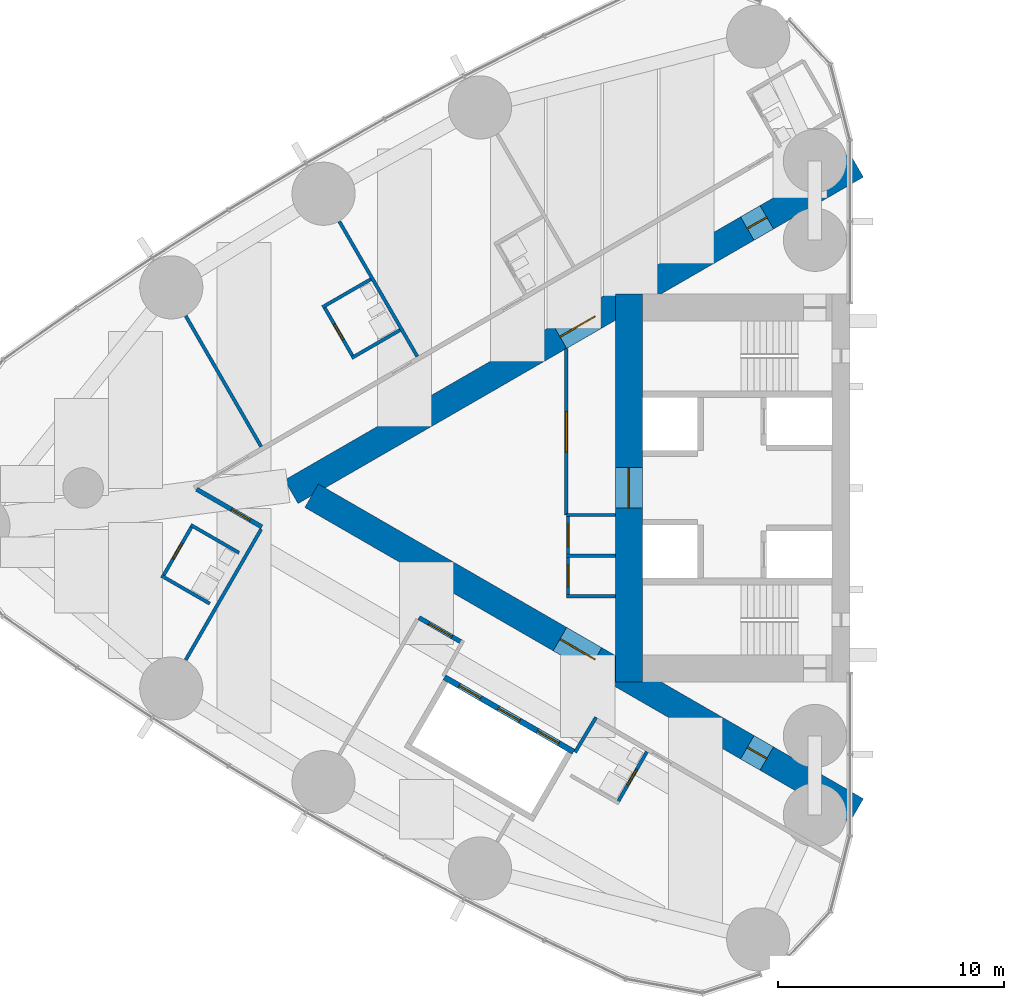
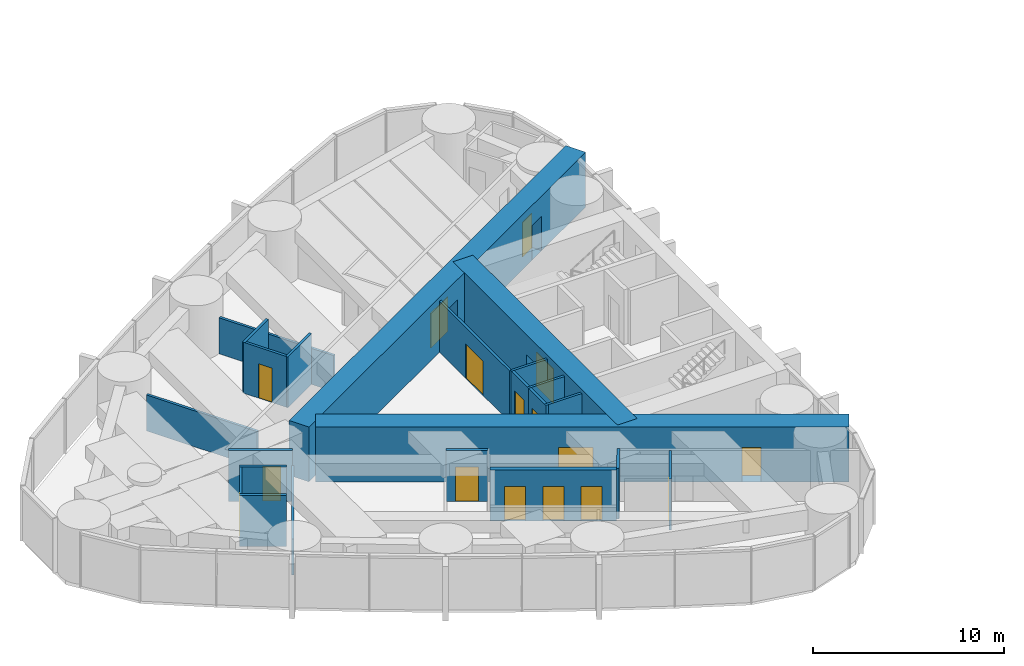
# One storey, part 12 of 19: 23 walls, 16 doors, 16 openings.
"""IFC4 building model written with IfcOpenShell, lengths in metres."""

from ifc_helpers import new_model, si_unit, direction, frame, frame_2d, origin, place, context, subcontext, project, spatial, rectangle, extrude, material, layer, layer_set, type_object, element, fill, save


model = new_model("IFC4")

# Units and contexts
model_context = context("Model", 3, precision=1e-05, world=origin(), true_north=direction((0.0, 1.0)))
body_context = subcontext(model_context, "Body", "Model", "MODEL_VIEW")
ifc_project = project(units=[si_unit("LENGTHUNIT", "METRE"), si_unit("AREAUNIT", "SQUARE_METRE"), si_unit("VOLUMEUNIT", "CUBIC_METRE"), si_unit("PLANEANGLEUNIT", "RADIAN"), si_unit("MASSUNIT", "GRAM", prefix="KILO")], contexts=[model_context])

# Site, building, storey
site_placement = place(None, origin())
site = spatial("IfcSite", under=ifc_project, at=site_placement, CompositionType="ELEMENT")
building_placement = place(site_placement, origin())
building = spatial("IfcBuilding", under=site, at=building_placement, Name="Lancet Gate Hotel", CompositionType="ELEMENT")
storey_placement = place(building_placement, frame((0.0, 0.0, 198.300048828125)))
storey = spatial("IfcBuildingStorey", under=building, at=storey_placement, Name="L53", CompositionType="ELEMENT", Elevation=198.300048828125)

# Wall
ifc_material_1 = material(Name="Moisture resistant board partition")
ifc_layer_1 = layer(ifc_material_1, 0.14990234375)
ifc_layer_set_1 = layer_set([ifc_layer_1], Name="Bathroom wall 150")
wall_type_1 = type_object("IfcWallType", Name="Bathroom wall 150", PredefinedType="PARTITIONING", material=ifc_layer_set_1)
wall_1_placement = place(storey_placement, frame((-48.743896484375, 9.251708984375, 0.0), z_axis=(0.0, 0.0, 1.0), x_axis=(-0.866006523861, -0.500032699561, 0.0)))
element("IfcWall", 1, at=wall_1_placement, inside=storey, type_object=wall_type_1, Name="T1 bathroom wall 150 L53", PredefinedType="PARTITIONING", context=body_context, shape_type="SweptSolid", body=[
    extrude(rectangle(XDim=2.474853515625, YDim=0.14990234375, at=frame_2d((1.2373046875, 0.0))), origin(), (0.0, 0.0, 1.0), 3.25),
])

# Wall, opening, door
wall_2_placement = place(storey_placement, frame((-49.522216796875, 5.800048828125, 0.0), z_axis=(0.0, 0.0, 1.0), x_axis=(-0.500006934395, 0.866021400173, 0.0)))
wall_2 = element("IfcWall", 2, at=wall_2_placement, inside=storey, type_object=wall_type_1, Name="T1 bathroom wall 150 L53", PredefinedType="PARTITIONING", context=body_context, shape_type="SweptSolid", body=[
    extrude(rectangle(XDim=2.60009765625, YDim=0.14990234375, at=frame_2d((1.300048828125, 0.0))), origin(), (0.0, 0.0, 1.0), 3.25),
])
opening_1_placement = place(wall_2_placement, frame((0.89990234375, 0.0, 0.0)))
opening_1 = element("IfcOpeningElement", 3, at=opening_1_placement, cuts=wall_2, Name="Opening 5303-B", PredefinedType="OPENING", context=body_context, shape_type="SweptSolid", body=[
    extrude(rectangle(XDim=0.800048828125, YDim=2.199951171875, at=frame_2d((0.39990234375, 1.10009765625))), frame((0.0, 0.0849609375, 0.0), z_axis=(0.0, -1.0, 0.0), x_axis=(1.0, 0.0, 0.0)), (0.0, 0.0, 1.0), 0.169921875),
])
ifc_material_2 = material(Name="Timber door set", Category="wood")
door_type_1 = type_object("IfcDoorType", Name="Bathroom door 800", OperationType="SINGLE_SWING_RIGHT", PredefinedType="DOOR", material=ifc_material_2)
door_1_placement = place(opening_1_placement, origin())
door_1 = element("IfcDoor", 4, at=door_1_placement, inside=storey, type_object=door_type_1, Name="5303-B", OperationType="SINGLE_SWING_RIGHT", OverallHeight=2.199951171875, OverallWidth=0.800048828125, PredefinedType="DOOR", context=body_context, shape_type="SweptSolid", body=[
    extrude(rectangle(XDim=0.800048828125, YDim=2.199951171875, at=frame_2d((0.39990234375, 1.10009765625))), frame((0.0, 0.02490234375, 0.0), z_axis=(0.0, -1.0, 0.0), x_axis=(1.0, 0.0, 0.0)), (0.0, 0.0, 1.0), 0.050048828125),
])
fill(opening_1, door_1)

# Walls
for number, where, z_axis, x_axis, name in (
    (5, (-47.44384765625, 7.0, 0.0), (0.0, 0.0, 1.0), (-0.866006523861, -0.500032699561, 0.0), "T1 bathroom wall 150 L53"),
    (6, (-55.883544921875, -5.129638671875, 0.0), (0.0, 0.0, 1.0), (-0.866006523861, 0.500032699561, 0.0), "T1 bathroom wall 150 L53"),
):
    element("IfcWall", number, at=place(storey_placement, frame(where, z_axis=z_axis, x_axis=x_axis)), inside=storey, type_object=wall_type_1, Name=name, PredefinedType="PARTITIONING", context=body_context, shape_type="SweptSolid", body=[
        extrude(rectangle(XDim=2.474853515625, YDim=0.14990234375, at=frame_2d((1.2373046875, 0.0))), origin(), (0.0, 0.0, 1.0), 3.25),
    ])

# Wall, opening, door
wall_3_placement = place(storey_placement, frame((-56.661865234375, -1.677978515625, 0.0), z_axis=(0.0, 0.0, 1.0), x_axis=(-0.500006934395, -0.866021400173, 0.0)))
wall_3 = element("IfcWall", 7, at=wall_3_placement, inside=storey, type_object=wall_type_1, Name="T1 bathroom wall 150 L53", PredefinedType="PARTITIONING", context=body_context, shape_type="SweptSolid", body=[
    extrude(rectangle(XDim=2.60009765625, YDim=0.14990234375, at=frame_2d((1.300048828125, 0.0))), origin(), (0.0, 0.0, 1.0), 3.25),
])
opening_2_placement = place(wall_3_placement, frame((0.89990234375, 0.0, 0.0)))
opening_2 = element("IfcOpeningElement", 8, at=opening_2_placement, cuts=wall_3, Name="Opening 5305-B", PredefinedType="OPENING", context=body_context, shape_type="SweptSolid", body=[
    extrude(rectangle(XDim=0.800048828125, YDim=2.199951171875, at=frame_2d((0.39990234375, 1.10009765625))), frame((0.0, 0.0849609375, 0.0), z_axis=(0.0, -1.0, 0.0), x_axis=(1.0, 0.0, 0.0)), (0.0, 0.0, 1.0), 0.169921875),
])
door_2_placement = place(opening_2_placement, origin())
door_2 = element("IfcDoor", 9, at=door_2_placement, inside=storey, type_object=door_type_1, Name="5305-B", OperationType="SINGLE_SWING_RIGHT", OverallHeight=2.199951171875, OverallWidth=0.800048828125, PredefinedType="DOOR", context=body_context, shape_type="SweptSolid", body=[
    extrude(rectangle(XDim=0.800048828125, YDim=2.199951171875, at=frame_2d((0.39990234375, 1.10009765625))), frame((0.0, 0.02490234375, 0.0), z_axis=(0.0, -1.0, 0.0), x_axis=(1.0, 0.0, 0.0)), (0.0, 0.0, 1.0), 0.050048828125),
])
fill(opening_2, door_2)

# Wall
wall_4_placement = place(storey_placement, frame((-54.58349609375, -2.8779296875, 0.0), z_axis=(0.0, 0.0, 1.0), x_axis=(-0.866006523861, 0.500032699561, 0.0)))
element("IfcWall", 10, at=wall_4_placement, inside=storey, type_object=wall_type_1, Name="T1 bathroom wall 150 L53", PredefinedType="PARTITIONING", context=body_context, shape_type="SweptSolid", body=[
    extrude(rectangle(XDim=2.474853515625, YDim=0.14990234375, at=frame_2d((1.2373046875, 0.0))), origin(), (0.0, 0.0, 1.0), 3.25),
])

# Wall, opening, door
wall_5_placement = place(storey_placement, frame((-36.5029296875, -11.7001953125, 0.0), z_axis=(0.0, 0.0, 1.0), x_axis=(-0.500006934395, -0.866021400173, 0.0)))
wall_5 = element("IfcWall", 11, at=wall_5_placement, inside=storey, type_object=wall_type_1, Name="T1 bathroom wall 150 L53", PredefinedType="PARTITIONING", context=body_context, shape_type="SweptSolid", body=[
    extrude(rectangle(XDim=2.60009765625, YDim=0.14990234375, at=frame_2d((1.300048828125, 0.0))), origin(), (0.0, 0.0, 1.0), 3.25),
])
opening_3_placement = place(wall_5_placement, frame((0.89990234375, 0.0, 0.0)))
opening_3 = element("IfcOpeningElement", 12, at=opening_3_placement, cuts=wall_5, Name="Opening 5308-B", PredefinedType="OPENING", context=body_context, shape_type="SweptSolid", body=[
    extrude(rectangle(XDim=0.800048828125, YDim=2.199951171875, at=frame_2d((0.39990234375, 1.10009765625))), frame((0.0, 0.0849609375, 0.0), z_axis=(0.0, -1.0, 0.0), x_axis=(1.0, 0.0, 0.0)), (0.0, 0.0, 1.0), 0.169921875),
])
door_3_placement = place(opening_3_placement, origin())
door_3 = element("IfcDoor", 13, at=door_3_placement, inside=storey, type_object=door_type_1, Name="5308-B", OperationType="SINGLE_SWING_RIGHT", OverallHeight=2.199951171875, OverallWidth=0.800048828125, PredefinedType="DOOR", context=body_context, shape_type="SweptSolid", body=[
    extrude(rectangle(XDim=0.800048828125, YDim=2.199951171875, at=frame_2d((0.39990234375, 1.10009765625))), frame((0.0, 0.02490234375, 0.0), z_axis=(0.0, -1.0, 0.0), x_axis=(1.0, 0.0, 0.0)), (0.0, 0.0, 1.0), 0.050048828125),
])
fill(opening_3, door_3)

# Wall, openings, doors
ifc_material_3 = material(Name="Concrete C70/85", Category="concrete")
ifc_layer_2 = layer(ifc_material_3, 1.199951171875)
ifc_layer_set_2 = layer_set([ifc_layer_2], Name="Buttress wall 1200")
wall_type_2 = type_object("IfcWallType", Name="Buttress wall 1200", PredefinedType="SHEAR", material=ifc_layer_set_2)
wall_6_placement = place(storey_placement, frame((-27.199951171875, 14.300048828125, 0.0), z_axis=(0.0, 0.0, 1.0), x_axis=(-0.866026593062, -0.499997940104, 0.0)))
wall_6 = element("IfcWall", 14, at=wall_6_placement, inside=storey, type_object=wall_type_2, Name="T1 buttress wall S L53", PredefinedType="SHEAR", context=body_context, shape_type="SweptSolid", body=[
    extrude(rectangle(XDim=28.9462890625, YDim=1.199951171875, at=frame_2d((14.47314453125, 0.0))), origin(), (0.0, 0.0, 1.0), 3.5),
])
opening_4_placement = place(wall_6_placement, frame((4.60009765625, 0.0, 0.0)))
opening_4 = element("IfcOpeningElement", 15, at=opening_4_placement, cuts=wall_6, Name="Opening T1-L53-LS", PredefinedType="OPENING", context=body_context, shape_type="SweptSolid", body=[
    extrude(rectangle(XDim=1.0, YDim=2.199951171875, at=frame_2d((0.5, 1.10009765625))), frame((0.0, 0.60986328125, 0.0), z_axis=(0.0, -1.0, 0.0), x_axis=(1.0, 0.0, 0.0)), (0.0, 0.0, 1.0), 1.219970703125),
])
opening_5_placement = place(wall_6_placement, frame((13.39453125, 0.0, 0.0)))
opening_5 = element("IfcOpeningElement", 16, at=opening_5_placement, cuts=wall_6, Name="Opening T1-L53-LHS", PredefinedType="OPENING", context=body_context, shape_type="SweptSolid", body=[
    extrude(rectangle(XDim=1.800048828125, YDim=2.199951171875, at=frame_2d((0.89990234375, 1.10009765625))), frame((0.0, 0.60986328125, 0.0), z_axis=(0.0, -1.0, 0.0), x_axis=(1.0, 0.0, 0.0)), (0.0, 0.0, 1.0), 1.219970703125),
])
ifc_material_4 = material(Name="Timber door set", Category="wood")
door_type_2 = type_object("IfcDoorType", Name="Lobby double door 1800", OperationType="DOUBLE_DOOR_SINGLE_SWING", PredefinedType="DOOR", material=ifc_material_4)
door_4_placement = place(opening_5_placement, origin())
door_4 = element("IfcDoor", 17, at=door_4_placement, inside=storey, type_object=door_type_2, Name="T1-L53-LHS", OperationType="DOUBLE_DOOR_SINGLE_SWING", OverallHeight=2.199951171875, OverallWidth=1.800048828125, PredefinedType="DOOR", context=body_context, shape_type="SweptSolid", body=[
    extrude(rectangle(XDim=1.800048828125, YDim=2.199951171875, at=frame_2d((0.89990234375, 1.10009765625))), frame((0.0, 0.02490234375, 0.0), z_axis=(0.0, -1.0, 0.0), x_axis=(1.0, 0.0, 0.0)), (0.0, 0.0, 1.0), 0.050048828125),
])
fill(opening_5, door_4)
ifc_material_5 = material(Name="Timber door set", Category="wood")
door_type_3 = type_object("IfcDoorType", Name="Stair lobby door 1000", OperationType="SINGLE_SWING_LEFT", PredefinedType="DOOR", material=ifc_material_5)
door_5_placement = place(opening_4_placement, origin())
door_5 = element("IfcDoor", 18, at=door_5_placement, inside=storey, type_object=door_type_3, Name="T1-L53-LS", OperationType="SINGLE_SWING_LEFT", OverallHeight=2.199951171875, OverallWidth=1.0, PredefinedType="DOOR", context=body_context, shape_type="SweptSolid", body=[
    extrude(rectangle(XDim=1.0, YDim=2.199951171875, at=frame_2d((0.5, 1.10009765625))), frame((0.0, 0.02490234375, 0.0), z_axis=(0.0, -1.0, 0.0), x_axis=(1.0, 0.0, 0.0)), (0.0, 0.0, 1.0), 0.050048828125),
])
fill(opening_4, door_5)

wall_7_placement = place(storey_placement, frame((-27.199951171875, -14.300048828125, 0.0), z_axis=(0.0, 0.0, 1.0), x_axis=(-0.866024021859, 0.500002393557, 0.0)))
wall_7 = element("IfcWall", 19, at=wall_7_placement, inside=storey, type_object=wall_type_2, Name="T1 buttress wall N L53", PredefinedType="SHEAR", context=body_context, shape_type="SweptSolid", body=[
    extrude(rectangle(XDim=27.906982421875, YDim=1.199951171875, at=frame_2d((13.95361328125, 0.0))), origin(), (0.0, 0.0, 1.0), 3.5),
])
opening_6_placement = place(wall_7_placement, frame((4.60009765625, 0.0, 0.0)))
opening_6 = element("IfcOpeningElement", 20, at=opening_6_placement, cuts=wall_7, Name="Opening T1-L53-LN", PredefinedType="OPENING", context=body_context, shape_type="SweptSolid", body=[
    extrude(rectangle(XDim=1.0, YDim=2.199951171875, at=frame_2d((0.5, 1.10009765625))), frame((0.0, 0.60986328125, 0.0), z_axis=(0.0, -1.0, 0.0), x_axis=(1.0, 0.0, 0.0)), (0.0, 0.0, 1.0), 1.219970703125),
])
opening_7_placement = place(wall_7_placement, frame((13.39453125, 0.0, 0.0)))
opening_7 = element("IfcOpeningElement", 21, at=opening_7_placement, cuts=wall_7, Name="Opening T1-L53-LHN", PredefinedType="OPENING", context=body_context, shape_type="SweptSolid", body=[
    extrude(rectangle(XDim=1.800048828125, YDim=2.199951171875, at=frame_2d((0.89990234375, 1.10009765625))), frame((0.0, 0.60986328125, 0.0), z_axis=(0.0, -1.0, 0.0), x_axis=(1.0, 0.0, 0.0)), (0.0, 0.0, 1.0), 1.219970703125),
])
door_6_placement = place(opening_7_placement, origin())
door_6 = element("IfcDoor", 22, at=door_6_placement, inside=storey, type_object=door_type_2, Name="T1-L53-LHN", OperationType="DOUBLE_DOOR_SINGLE_SWING", OverallHeight=2.199951171875, OverallWidth=1.800048828125, PredefinedType="DOOR", context=body_context, shape_type="SweptSolid", body=[
    extrude(rectangle(XDim=1.800048828125, YDim=2.199951171875, at=frame_2d((0.89990234375, 1.10009765625))), frame((0.0, 0.02490234375, 0.0), z_axis=(0.0, -1.0, 0.0), x_axis=(1.0, 0.0, 0.0)), (0.0, 0.0, 1.0), 0.050048828125),
])
fill(opening_7, door_6)
door_7_placement = place(opening_6_placement, origin())
door_7 = element("IfcDoor", 23, at=door_7_placement, inside=storey, type_object=door_type_3, Name="T1-L53-LN", OperationType="SINGLE_SWING_LEFT", OverallHeight=2.199951171875, OverallWidth=1.0, PredefinedType="DOOR", context=body_context, shape_type="SweptSolid", body=[
    extrude(rectangle(XDim=1.0, YDim=2.199951171875, at=frame_2d((0.5, 1.10009765625))), frame((0.0, 0.02490234375, 0.0), z_axis=(0.0, -1.0, 0.0), x_axis=(1.0, 0.0, 0.0)), (0.0, 0.0, 1.0), 0.050048828125),
])
fill(opening_6, door_7)

# Wall, opening, door
ifc_material_6 = material(Name="Concrete C70/85", Category="concrete")
ifc_layer_3 = layer(ifc_material_6, 1.199951171875)
ifc_layer_set_3 = layer_set([ifc_layer_3], Name="Core wall 1200")
wall_type_3 = type_object("IfcWallType", Name="Core wall 1200", PredefinedType="SHEAR", material=ifc_layer_set_3)
wall_8_placement = place(storey_placement, frame((-37.300048828125, 8.60009765625, 0.0), z_axis=(0.0, 0.0, 1.0), x_axis=(0.0, -1.0, 0.0)))
wall_8 = element("IfcWall", 24, at=wall_8_placement, inside=storey, type_object=wall_type_3, Name="T1 core wall back L53", PredefinedType="SHEAR", context=body_context, shape_type="SweptSolid", body=[
    extrude(rectangle(XDim=17.2001953125, YDim=1.199951171875, at=frame_2d((8.60009765625, 0.0))), origin(), (0.0, 0.0, 1.0), 3.5),
])
opening_8_placement = place(wall_8_placement, frame((7.699951171875, 0.0, 0.0)))
opening_8 = element("IfcOpeningElement", 25, at=opening_8_placement, cuts=wall_8, Name="Opening T1-L53-LL", PredefinedType="OPENING", context=body_context, shape_type="SweptSolid", body=[
    extrude(rectangle(XDim=1.800048828125, YDim=2.199951171875, at=frame_2d((0.89990234375, 1.10009765625))), frame((0.0, 0.60986328125, 0.0), z_axis=(0.0, -1.0, 0.0), x_axis=(1.0, 0.0, 0.0)), (0.0, 0.0, 1.0), 1.219970703125),
])
door_8_placement = place(opening_8_placement, origin())
door_8 = element("IfcDoor", 26, at=door_8_placement, inside=storey, type_object=door_type_2, Name="T1-L53-LL", OperationType="DOUBLE_DOOR_SINGLE_SWING", OverallHeight=2.199951171875, OverallWidth=1.800048828125, PredefinedType="DOOR", context=body_context, shape_type="SweptSolid", body=[
    extrude(rectangle(XDim=1.800048828125, YDim=2.199951171875, at=frame_2d((0.89990234375, 1.10009765625))), frame((0.0, 0.02490234375, 0.0), z_axis=(0.0, -1.0, 0.0), x_axis=(1.0, 0.0, 0.0)), (0.0, 0.0, 1.0), 0.050048828125),
])
fill(opening_8, door_8)

ifc_material_7 = material(Name="Gypsum board partition")
ifc_layer_4 = layer(ifc_material_7, 0.199951171875)
ifc_layer_set_4 = layer_set([ifc_layer_4], Name="Corridor wall 200")
wall_type_4 = type_object("IfcWallType", Name="Corridor wall 200", PredefinedType="PARTITIONING", material=ifc_layer_set_4)
wall_9_placement = place(storey_placement, frame((-44.715087890625, -6.843505859375, 0.0), z_axis=(0.0, 0.0, 1.0), x_axis=(-0.865999496279, 0.500044870432, 0.0)))
wall_9 = element("IfcWall", 27, at=wall_9_placement, inside=storey, type_object=wall_type_4, Name="T1 corridor wall 200 L53", PredefinedType="PARTITIONING", context=body_context, shape_type="SweptSolid", body=[
    extrude(rectangle(XDim=2.184814453125, YDim=0.199951171875, at=frame_2d((1.09228515625, 0.0))), origin(), (0.0, 0.0, 1.0), 3.25),
])
opening_9_placement = place(wall_9_placement, frame((0.5, 0.0, 0.0)))
opening_9 = element("IfcOpeningElement", 28, at=opening_9_placement, cuts=wall_9, Name="Opening T1-L53-LO1", PredefinedType="OPENING", context=body_context, shape_type="SweptSolid", body=[
    extrude(rectangle(XDim=1.18505859375, YDim=2.199951171875, at=frame_2d((0.592529296875, 1.10009765625))), frame((0.0, 0.10986328125, 0.0), z_axis=(0.0, -1.0, 0.0), x_axis=(1.0, 0.0, 0.0)), (0.0, 0.0, 1.0), 0.219970703125),
])
ifc_material_8 = material(Name="Timber door set", Category="wood")
door_type_4 = type_object("IfcDoorType", Name="Guest room entry door 950", OperationType="SINGLE_SWING_LEFT", PredefinedType="DOOR", material=ifc_material_8)
door_9_placement = place(opening_9_placement, origin())
door_9 = element("IfcDoor", 29, at=door_9_placement, inside=storey, type_object=door_type_4, Name="T1-L53-LO1", OperationType="SINGLE_SWING_LEFT", OverallHeight=2.199951171875, OverallWidth=1.18505859375, PredefinedType="DOOR", context=body_context, shape_type="SweptSolid", body=[
    extrude(rectangle(XDim=1.18505859375, YDim=2.199951171875, at=frame_2d((0.592529296875, 1.10009765625))), frame((0.0, 0.02490234375, 0.0), z_axis=(0.0, -1.0, 0.0), x_axis=(1.0, 0.0, 0.0)), (0.0, 0.0, 1.0), 0.050048828125),
])
fill(opening_9, door_9)

wall_10_placement = place(storey_placement, frame((-53.57373046875, -1.72900390625, 0.0), z_axis=(0.0, 0.0, 1.0), x_axis=(-0.866019930389, 0.500009480079, 0.0)))
wall_10 = element("IfcWall", 30, at=wall_10_placement, inside=storey, type_object=wall_type_4, Name="T1 corridor wall 200 L53", PredefinedType="PARTITIONING", context=body_context, shape_type="SweptSolid", body=[
    extrude(rectangle(XDim=3.337890625, YDim=0.199951171875, at=frame_2d((1.6689453125, 0.0))), origin(), (0.0, 0.0, 1.0), 3.25),
])
opening_10_placement = place(wall_10_placement, frame((0.60009765625, 0.0, 0.0)))
opening_10 = element("IfcOpeningElement", 31, at=opening_10_placement, cuts=wall_10, Name="Opening 5305-E", PredefinedType="OPENING", context=body_context, shape_type="SweptSolid", body=[
    extrude(rectangle(XDim=0.949951171875, YDim=2.199951171875, at=frame_2d((0.47509765625, 1.10009765625))), frame((0.0, 0.10986328125, 0.0), z_axis=(0.0, -1.0, 0.0), x_axis=(1.0, 0.0, 0.0)), (0.0, 0.0, 1.0), 0.219970703125),
])
door_10_placement = place(opening_10_placement, origin())
door_10 = element("IfcDoor", 32, at=door_10_placement, inside=storey, type_object=door_type_4, Name="5305-E", OperationType="SINGLE_SWING_LEFT", OverallHeight=2.199951171875, OverallWidth=0.949951171875, PredefinedType="DOOR", context=body_context, shape_type="SweptSolid", body=[
    extrude(rectangle(XDim=0.949951171875, YDim=2.199951171875, at=frame_2d((0.47509765625, 1.10009765625))), frame((0.0, 0.02490234375, 0.0), z_axis=(0.0, -1.0, 0.0), x_axis=(1.0, 0.0, 0.0)), (0.0, 0.0, 1.0), 0.050048828125),
])
fill(opening_10, door_10)

# Wall, openings, doors
ifc_material_9 = material(Name="Gypsum board partition")
ifc_layer_5 = layer(ifc_material_9, 0.25)
ifc_layer_set_5 = layer_set([ifc_layer_5], Name="Lift shaft partition 250")
wall_type_5 = type_object("IfcWallType", Name="Lift shaft partition 250", PredefinedType="PARTITIONING", material=ifc_layer_set_5)
wall_11_placement = place(storey_placement, frame((-39.757568359375, -11.697265625, 0.0), z_axis=(0.0, 0.0, 1.0), x_axis=(-0.866024194504, 0.500002094529, 0.0)))
wall_11 = element("IfcWall", 33, at=wall_11_placement, inside=storey, type_object=wall_type_5, Name="T1 lift shaft wall HL L53", PredefinedType="PARTITIONING", context=body_context, shape_type="SweptSolid", body=[
    extrude(rectangle(XDim=6.60009765625, YDim=0.25, at=frame_2d((3.300048828125, 0.0))), origin(), (0.0, 0.0, 1.0), 3.25),
])
opening_11_placement = place(wall_11_placement, frame((0.75, 0.0, 0.0)))
opening_11 = element("IfcOpeningElement", 34, at=opening_11_placement, cuts=wall_11, Name="Opening T1-HL1-L53", PredefinedType="OPENING", context=body_context, shape_type="SweptSolid", body=[
    extrude(rectangle(XDim=1.10009765625, YDim=2.199951171875, at=frame_2d((0.550048828125, 1.10009765625))), frame((0.0, 0.135009765625, 0.0), z_axis=(0.0, -1.0, 0.0), x_axis=(1.0, 0.0, 0.0)), (0.0, 0.0, 1.0), 0.27001953125),
])
opening_12_placement = place(wall_11_placement, frame((2.75, 0.0, 0.0)))
opening_12 = element("IfcOpeningElement", 35, at=opening_12_placement, cuts=wall_11, Name="Opening T1-HL2-L53", PredefinedType="OPENING", context=body_context, shape_type="SweptSolid", body=[
    extrude(rectangle(XDim=1.10009765625, YDim=2.199951171875, at=frame_2d((0.550048828125, 1.10009765625))), frame((0.0, 0.135009765625, 0.0), z_axis=(0.0, -1.0, 0.0), x_axis=(1.0, 0.0, 0.0)), (0.0, 0.0, 1.0), 0.27001953125),
])
opening_13_placement = place(wall_11_placement, frame((4.75, 0.0, 0.0)))
opening_13 = element("IfcOpeningElement", 36, at=opening_13_placement, cuts=wall_11, Name="Opening T1-HL3-L53", PredefinedType="OPENING", context=body_context, shape_type="SweptSolid", body=[
    extrude(rectangle(XDim=1.10009765625, YDim=2.199951171875, at=frame_2d((0.550048828125, 1.10009765625))), frame((0.0, 0.135009765625, 0.0), z_axis=(0.0, -1.0, 0.0), x_axis=(1.0, 0.0, 0.0)), (0.0, 0.0, 1.0), 0.27001953125),
])
ifc_material_10 = material(Name="Steel door set", Category="steel")
door_type_5 = type_object("IfcDoorType", Name="Lift landing door 1100", OperationType="DOUBLE_DOOR_SLIDING", PredefinedType="USERDEFINED", material=ifc_material_10)
door_11_placement = place(opening_11_placement, origin())
door_11 = element("IfcDoor", 37, at=door_11_placement, inside=storey, type_object=door_type_5, Name="T1-HL1-L53", ObjectType="LIFT LANDING DOOR", OperationType="DOUBLE_DOOR_SLIDING", OverallHeight=2.199951171875, OverallWidth=1.10009765625, PredefinedType="USERDEFINED", context=body_context, shape_type="SweptSolid", body=[
    extrude(rectangle(XDim=1.10009765625, YDim=2.199951171875, at=frame_2d((0.550048828125, 1.10009765625))), frame((0.0, 0.02490234375, 0.0), z_axis=(0.0, -1.0, 0.0), x_axis=(1.0, 0.0, 0.0)), (0.0, 0.0, 1.0), 0.050048828125),
])
fill(opening_11, door_11)
door_12_placement = place(opening_12_placement, origin())
door_12 = element("IfcDoor", 38, at=door_12_placement, inside=storey, type_object=door_type_5, Name="T1-HL2-L53", ObjectType="LIFT LANDING DOOR", OperationType="DOUBLE_DOOR_SLIDING", OverallHeight=2.199951171875, OverallWidth=1.10009765625, PredefinedType="USERDEFINED", context=body_context, shape_type="SweptSolid", body=[
    extrude(rectangle(XDim=1.10009765625, YDim=2.199951171875, at=frame_2d((0.550048828125, 1.10009765625))), frame((0.0, 0.02490234375, 0.0), z_axis=(0.0, -1.0, 0.0), x_axis=(1.0, 0.0, 0.0)), (0.0, 0.0, 1.0), 0.050048828125),
])
fill(opening_12, door_12)
door_13_placement = place(opening_13_placement, origin())
door_13 = element("IfcDoor", 39, at=door_13_placement, inside=storey, type_object=door_type_5, Name="T1-HL3-L53", ObjectType="LIFT LANDING DOOR", OperationType="DOUBLE_DOOR_SLIDING", OverallHeight=2.199951171875, OverallWidth=1.10009765625, PredefinedType="USERDEFINED", context=body_context, shape_type="SweptSolid", body=[
    extrude(rectangle(XDim=1.10009765625, YDim=2.199951171875, at=frame_2d((0.550048828125, 1.10009765625))), frame((0.0, 0.02490234375, 0.0), z_axis=(0.0, -1.0, 0.0), x_axis=(1.0, 0.0, 0.0)), (0.0, 0.0, 1.0), 0.050048828125),
])
fill(opening_13, door_13)

# Walls
ifc_material_11 = material(Name="Gypsum board partition")
ifc_layer_6 = layer(ifc_material_11, 0.14990234375)
ifc_layer_set_6 = layer_set([ifc_layer_6], Name="Party wall 150")
wall_type_6 = type_object("IfcWallType", Name="Party wall 150", PredefinedType="PARTITIONING", material=ifc_layer_set_6)
wall_12_placement = place(storey_placement, frame((-46.6787109375, 5.8251953125, 0.0), z_axis=(0.0, 0.0, 1.0), x_axis=(-0.500006839597, 0.866021454905, 0.0)))
element("IfcWall", 40, at=wall_12_placement, inside=storey, type_object=wall_type_6, Name="T1 party wall 150 L53", PredefinedType="PARTITIONING", context=body_context, shape_type="SweptSolid", body=[
    extrude(rectangle(XDim=6.9111328125, YDim=0.14990234375, at=frame_2d((3.45556640625, 0.0))), origin(), (0.0, 0.0, 1.0), 2.300048828125),
])
for number, where, z_axis, x_axis, name in (
    (41, (-53.60205078125, 1.828125, 0.0), (0.0, 0.0, 1.0), (-0.49999191814, 0.866030069798, 0.0), "T1 party wall 150 L53"),
    (42, (-53.60205078125, -1.828125, 0.0), (0.0, 0.0, 1.0), (-0.49999191814, -0.866030069798, 0.0), "T1 party wall 150 L53"),
):
    element("IfcWall", number, at=place(storey_placement, frame(where, z_axis=z_axis, x_axis=x_axis)), inside=storey, type_object=wall_type_6, Name=name, PredefinedType="PARTITIONING", context=body_context, shape_type="SweptSolid", body=[
        extrude(rectangle(XDim=6.6923828125, YDim=0.14990234375, at=frame_2d((3.34619140625, 0.0))), origin(), (0.0, 0.0, 1.0), 2.300048828125),
    ])
ifc_material_12 = material(Name="Gypsum board partition")
ifc_layer_7 = layer(ifc_material_12, 0.14990234375)
ifc_layer_set_7 = layer_set([ifc_layer_7], Name="Service room wall 150")
wall_type_7 = type_object("IfcWallType", Name="Service room wall 150", PredefinedType="PARTITIONING", material=ifc_layer_set_7)
wall_13_placement = place(storey_placement, frame((-39.6826171875, -11.717529296875, 0.0), z_axis=(0.0, 0.0, 1.0), x_axis=(0.514336634837, 0.857588377991, 0.0)))
element("IfcWall", 43, at=wall_13_placement, inside=storey, type_object=wall_type_7, Name="T1 service room wall 150 L53", PredefinedType="PARTITIONING", context=body_context, shape_type="SweptSolid", body=[
    extrude(rectangle(XDim=1.80517578125, YDim=0.14990234375, at=frame_2d((0.902587890625, 0.0))), origin(), (0.0, 0.0, 1.0), 3.25),
])
for number, where, z_axis, x_axis, name in (
    (44, (-37.89990234375, -1.199951171875, 0.0), (0.0, 0.0, 1.0), (-1.0, 0.0, 0.0), "T1 service room wall 150 L53"),
    (45, (-37.89990234375, -3.0, 0.0), (0.0, 0.0, 1.0), (-1.0, 0.0, 0.0), "T1 service room wall 150 L53"),
    (46, (-37.89990234375, -4.800048828125, 0.0), (0.0, 0.0, 1.0), (-1.0, 0.0, 0.0), "T1 service room wall 150 L53"),
):
    element("IfcWall", number, at=place(storey_placement, frame(where, z_axis=z_axis, x_axis=x_axis)), inside=storey, type_object=wall_type_7, Name=name, PredefinedType="PARTITIONING", context=body_context, shape_type="SweptSolid", body=[
        extrude(rectangle(XDim=2.175048828125, YDim=0.14990234375, at=frame_2d((1.08740234375, 0.0))), origin(), (0.0, 0.0, 1.0), 3.25),
    ])

# Wall, opening, door
wall_14_placement = place(storey_placement, frame((-40.0, -1.125, 0.0), z_axis=(0.0, 0.0, 1.0), x_axis=(0.0, -1.0, 0.0)))
wall_14 = element("IfcWall", 47, at=wall_14_placement, inside=storey, type_object=wall_type_7, Name="T1 service room wall 150 L53", PredefinedType="PARTITIONING", context=body_context, shape_type="SweptSolid", body=[
    extrude(rectangle(XDim=1.949951171875, YDim=0.14990234375, at=frame_2d((0.97509765625, 0.0))), origin(), (0.0, 0.0, 1.0), 3.25),
])
opening_14_placement = place(wall_14_placement, frame((0.47509765625, 0.0, 0.0)))
opening_14 = element("IfcOpeningElement", 48, at=opening_14_placement, cuts=wall_14, Name="Opening T1-L53-HRN0", PredefinedType="OPENING", context=body_context, shape_type="SweptSolid", body=[
    extrude(rectangle(XDim=1.0, YDim=2.199951171875, at=frame_2d((0.5, 1.10009765625))), frame((0.0, 0.0849609375, 0.0), z_axis=(0.0, -1.0, 0.0), x_axis=(1.0, 0.0, 0.0)), (0.0, 0.0, 1.0), 0.169921875),
])
ifc_material_13 = material(Name="Timber door set", Category="wood")
door_type_6 = type_object("IfcDoorType", Name="Service door 1000", OperationType="SINGLE_SWING_LEFT", PredefinedType="DOOR", material=ifc_material_13)
door_14_placement = place(opening_14_placement, origin())
door_14 = element("IfcDoor", 49, at=door_14_placement, inside=storey, type_object=door_type_6, Name="T1-L53-HRN0", OperationType="SINGLE_SWING_LEFT", OverallHeight=2.199951171875, OverallWidth=1.0, PredefinedType="DOOR", context=body_context, shape_type="SweptSolid", body=[
    extrude(rectangle(XDim=1.0, YDim=2.199951171875, at=frame_2d((0.5, 1.10009765625))), frame((0.0, 0.02490234375, 0.0), z_axis=(0.0, -1.0, 0.0), x_axis=(1.0, 0.0, 0.0)), (0.0, 0.0, 1.0), 0.050048828125),
])
fill(opening_14, door_14)

wall_15_placement = place(storey_placement, frame((-40.0, -2.925048828125, 0.0), z_axis=(0.0, 0.0, 1.0), x_axis=(0.0, -1.0, 0.0)))
wall_15 = element("IfcWall", 50, at=wall_15_placement, inside=storey, type_object=wall_type_7, Name="T1 service room wall 150 L53", PredefinedType="PARTITIONING", context=body_context, shape_type="SweptSolid", body=[
    extrude(rectangle(XDim=1.949951171875, YDim=0.14990234375, at=frame_2d((0.97509765625, 0.0))), origin(), (0.0, 0.0, 1.0), 3.25),
])
opening_15_placement = place(wall_15_placement, frame((0.47509765625, 0.0, 0.0)))
opening_15 = element("IfcOpeningElement", 51, at=opening_15_placement, cuts=wall_15, Name="Opening T1-L53-HRN1", PredefinedType="OPENING", context=body_context, shape_type="SweptSolid", body=[
    extrude(rectangle(XDim=1.0, YDim=2.199951171875, at=frame_2d((0.5, 1.10009765625))), frame((0.0, 0.0849609375, 0.0), z_axis=(0.0, -1.0, 0.0), x_axis=(1.0, 0.0, 0.0)), (0.0, 0.0, 1.0), 0.169921875),
])
door_15_placement = place(opening_15_placement, origin())
door_15 = element("IfcDoor", 52, at=door_15_placement, inside=storey, type_object=door_type_6, Name="T1-L53-HRN1", OperationType="SINGLE_SWING_LEFT", OverallHeight=2.199951171875, OverallWidth=1.0, PredefinedType="DOOR", context=body_context, shape_type="SweptSolid", body=[
    extrude(rectangle(XDim=1.0, YDim=2.199951171875, at=frame_2d((0.5, 1.10009765625))), frame((0.0, 0.02490234375, 0.0), z_axis=(0.0, -1.0, 0.0), x_axis=(1.0, 0.0, 0.0)), (0.0, 0.0, 1.0), 0.050048828125),
])
fill(opening_15, door_15)

wall_16_placement = place(storey_placement, frame((-40.074951171875, 6.173828125, 0.0), z_axis=(0.0, 0.0, 1.0), x_axis=(0.0, -1.0, 0.0)))
wall_16 = element("IfcWall", 53, at=wall_16_placement, inside=storey, type_object=wall_type_7, Name="T1 service room wall 150 L53", PredefinedType="PARTITIONING", context=body_context, shape_type="SweptSolid", body=[
    extrude(rectangle(XDim=7.373779296875, YDim=0.14990234375, at=frame_2d((3.68701171875, 0.0))), origin(), (0.0, 0.0, 1.0), 3.25),
])
opening_16_placement = place(wall_16_placement, frame((2.786865234375, 0.0, 0.0)))
opening_16 = element("IfcOpeningElement", 54, at=opening_16_placement, cuts=wall_16, Name="Opening T1-L53-LH", PredefinedType="OPENING", context=body_context, shape_type="SweptSolid", body=[
    extrude(rectangle(XDim=1.800048828125, YDim=2.199951171875, at=frame_2d((0.89990234375, 1.10009765625))), frame((0.0, 0.0849609375, 0.0), z_axis=(0.0, -1.0, 0.0), x_axis=(1.0, 0.0, 0.0)), (0.0, 0.0, 1.0), 0.169921875),
])
door_16_placement = place(opening_16_placement, origin())
door_16 = element("IfcDoor", 55, at=door_16_placement, inside=storey, type_object=door_type_2, Name="T1-L53-LH", OperationType="DOUBLE_DOOR_SINGLE_SWING", OverallHeight=2.199951171875, OverallWidth=1.800048828125, PredefinedType="DOOR", context=body_context, shape_type="SweptSolid", body=[
    extrude(rectangle(XDim=1.800048828125, YDim=2.199951171875, at=frame_2d((0.89990234375, 1.10009765625))), frame((0.0, 0.02490234375, 0.0), z_axis=(0.0, -1.0, 0.0), x_axis=(1.0, 0.0, 0.0)), (0.0, 0.0, 1.0), 0.050048828125),
])
fill(opening_16, door_16)

save(model, "model.ifc")
